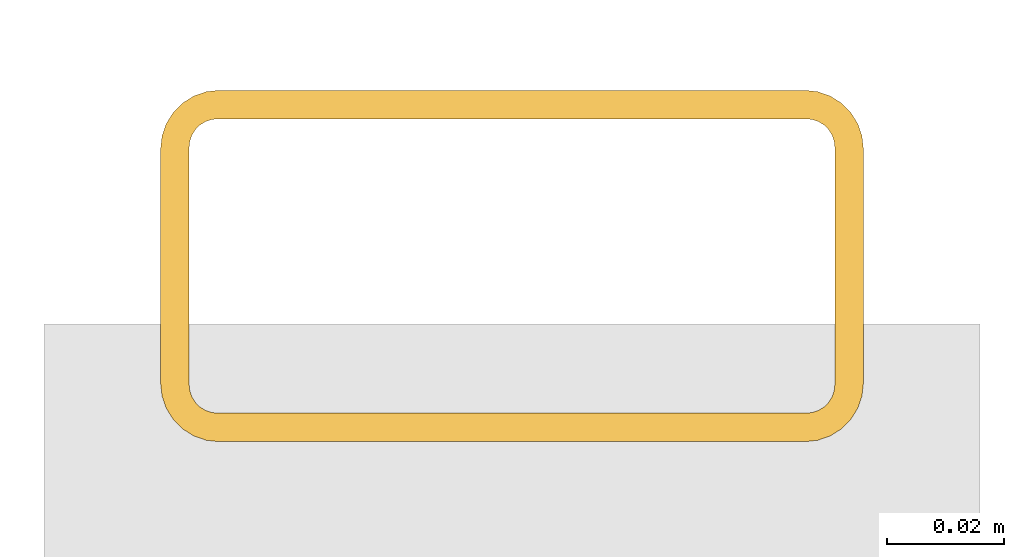
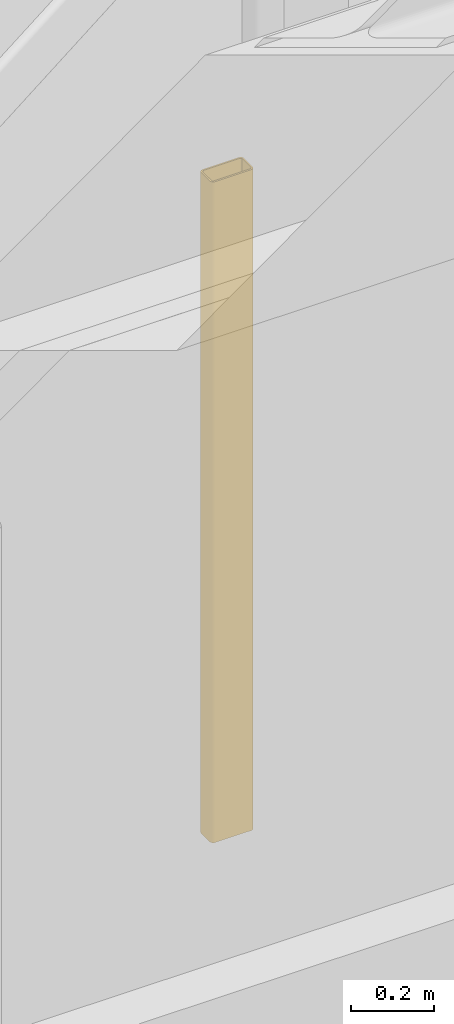
# One storey, part 83 of 109: 1 shading device.
"""IFC4 building model written with IfcOpenShell, lengths in metres."""

from ifc_helpers import new_model, si_unit, derived_unit, direction, frame, origin, origin_2d, place, context, subcontext, project, spatial, hollow_rectangle, extrude, material, material_profile, profile_set, type_object, element, save


model = new_model("IFC4")

# Units and contexts
model_context = context("Model", 3, precision=1e-05, world=origin(), true_north=direction((0.0, 1.0)))
body_context = subcontext(model_context, "Body", "Model", "MODEL_VIEW")
ifc_project = project(units=[si_unit("LENGTHUNIT", "METRE"), si_unit("AREAUNIT", "SQUARE_METRE"), si_unit("VOLUMEUNIT", "CUBIC_METRE"), si_unit("PLANEANGLEUNIT", "RADIAN"), si_unit("MASSUNIT", "GRAM", prefix="KILO"), derived_unit("THERMALTRANSMITTANCEUNIT", [(si_unit("MASSUNIT", "GRAM", prefix="KILO"), 1), (si_unit("TIMEUNIT", "SECOND"), -3), (si_unit("THERMODYNAMICTEMPERATUREUNIT", "KELVIN"), -1)])], contexts=[model_context])

# Site, building, storey
site_placement = place(None, origin())
site = spatial("IfcSite", under=ifc_project, at=site_placement, CompositionType="ELEMENT")
building_placement = place(site_placement, origin())
building = spatial("IfcBuilding", under=site, at=building_placement, Name="Kharveza Railside Sports Centre", CompositionType="ELEMENT")
storey_placement = place(building_placement, frame((0.0, 0.0, 4.5)))
storey = spatial("IfcBuildingStorey", under=building, at=storey_placement, Name="L01", CompositionType="ELEMENT", Elevation=4.5)

# Shading device
ifc_material = material(Name="Anodised aluminium 6063-T6", Category="aluminium")
ifc_material_profile = material_profile(ifc_material, hollow_rectangle(XDim=0.06005859375, YDim=0.1201171875, WallThickness=0.0048828125, InnerFilletRadius=0.0048828125, OuterFilletRadius=0.010009765625, at=origin_2d()), Name="RHS 60x120x5.0")
ifc_profile_set = profile_set([ifc_material_profile], Name="Anodised aluminium 6063-T6")
shading_device_type = type_object("IfcShadingDeviceType", Name="SD-LV01", PredefinedType="JALOUSIE", material=ifc_profile_set)
shading_device_placement = place(storey_placement, frame((81.976318359375, 29.239990234375, 0.85009765625), z_axis=(0.0, 0.0, 1.0), x_axis=(0.0, 1.0, 0.0)))
element("IfcShadingDevice", 1, at=shading_device_placement, inside=storey, type_object=shading_device_type, Name="SD-FIN-026", PredefinedType="JALOUSIE", context=body_context, shape_type="SweptSolid", body=[
    extrude(hollow_rectangle(XDim=0.06005859375, YDim=0.1201171875, WallThickness=0.0048828125, InnerFilletRadius=0.0048828125, OuterFilletRadius=0.010009765625, at=origin_2d()), origin(), (0.0, 0.0, 1.0), 1.949951171875),
])

save(model, "model.ifc")
